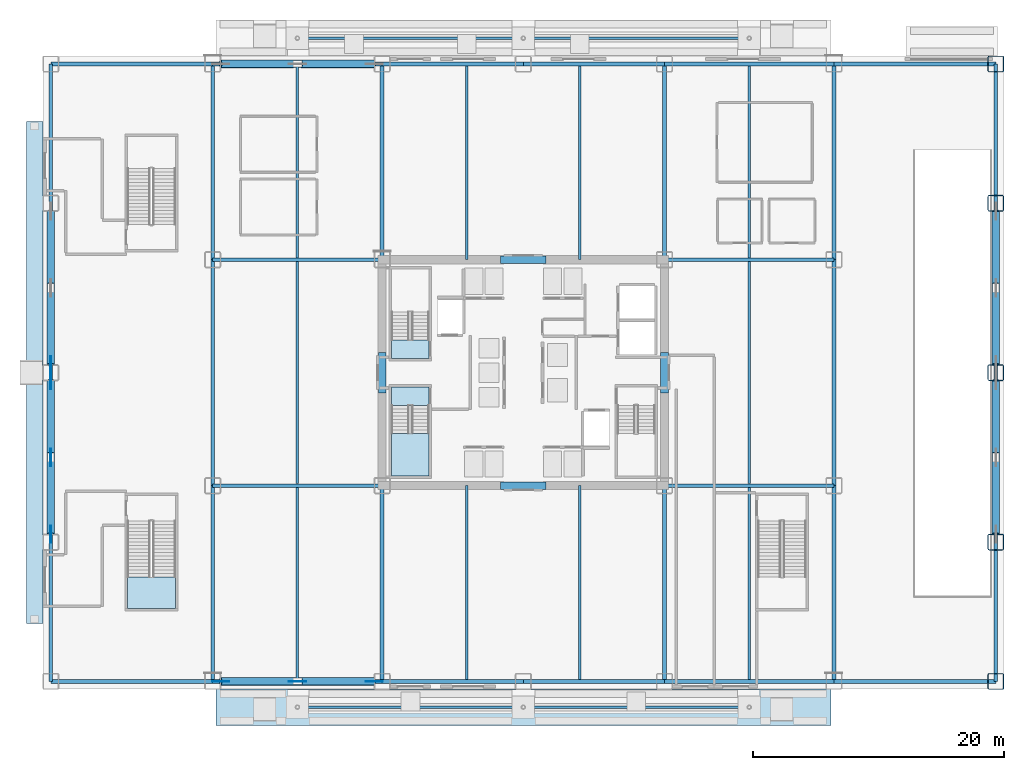
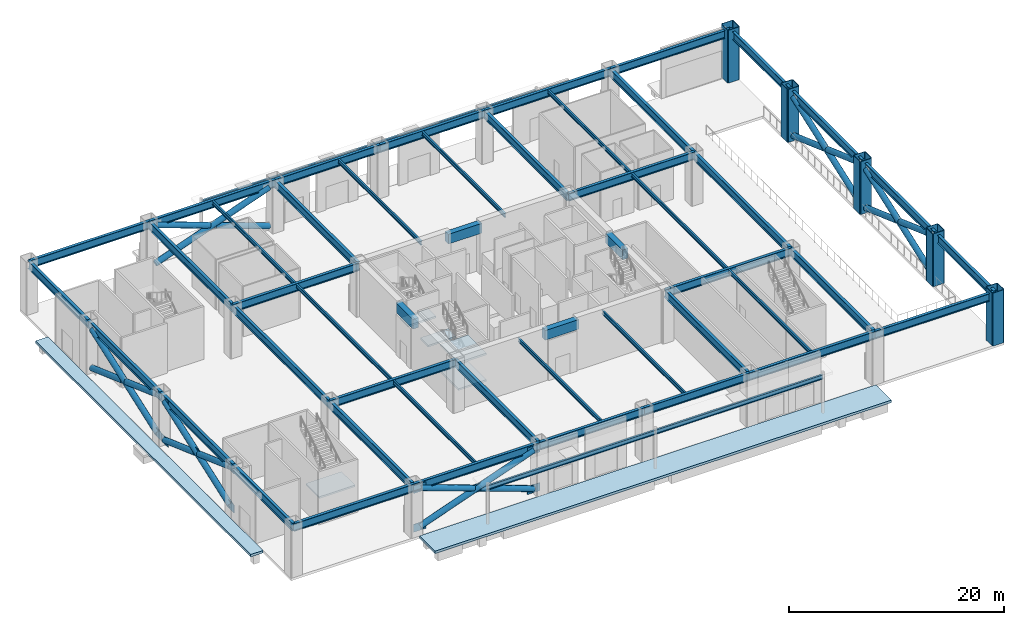
# One storey, part 6 of 17: 52 beams, 18 members, 12 plates, 7 slabs, 5 columns, 3 elements without a shape of their own.
"""IFC4 building model written with IfcOpenShell, lengths in metres."""

import ifcopenshell
import ifcopenshell.guid

model = None  # the IFC model being written
_history = None  # IfcOwnerHistory: only IFC2X3 demands one
_inside = {}  # id of a spatial element -> (the spatial element, [elements in it])
_under = {}  # id of a project, library or spatial element -> (it, [spatial elements below it])
_declared = {}  # id of a project -> (the project, [libraries it declares])
_typed = {}  # id of a type object -> (the type object, [elements of that type])
_made_of = {}  # id of a material, layer set ... -> (it, [elements and type objects made of it])


def new_model(schema):
    """Start an empty IFC model of exactly this schema.

    Asked for "IFC4X3", IfcOpenShell would pick the latest addendum, in which some entities
    have other attributes; the version numbers below select the first issue.
    IFC2X3 requires an IfcOwnerHistory on every rooted entity: one is made here for all.
    """
    global model, _history
    if schema == "IFC4X3":
        model = ifcopenshell.file(schema_version=(4, 3, 0, 0))
    else:
        model = ifcopenshell.file(schema=schema)
    _inside.clear()
    _under.clear()
    _declared.clear()
    _typed.clear()
    _made_of.clear()
    _history = None
    if model.schema == "IFC2X3":
        org = make("IfcOrganization", Name="unknown")
        user = make(
            "IfcPersonAndOrganization",
            ThePerson=make("IfcPerson", FamilyName="unknown"),
            TheOrganization=org,
        )
        app = make(
            "IfcApplication",
            ApplicationDeveloper=org,
            Version="unknown",
            ApplicationFullName="unknown",
            ApplicationIdentifier="unknown",
        )
        _history = make(
            "IfcOwnerHistory",
            OwningUser=user,
            OwningApplication=app,
            ChangeAction="ADDED",
            CreationDate=0,
        )
    return model


def make(cls, **values):
    """One entity of the class cls with the attributes given. An attribute that is None is left unset."""
    return model.create_entity(
        cls, **{name: value for name, value in values.items() if value is not None}
    )


def rooted(cls, **values):
    """An entity with a GlobalId (a new one), such as an element, a storey or a relation."""
    return make(cls, GlobalId=ifcopenshell.guid.new(), OwnerHistory=_history, **values)


def si_unit(unit_type, name, prefix=None):
    """IfcSIUnit, for example si_unit("LENGTHUNIT", "METRE", prefix="MILLI")."""
    return make("IfcSIUnit", UnitType=unit_type, Prefix=prefix, Name=name)


def assignment(units):
    """IfcUnitAssignment: the units of a project."""
    return None if units is None else make("IfcUnitAssignment", Units=units)


def point(xyz):
    """IfcCartesianPoint."""
    return None if xyz is None else make("IfcCartesianPoint", Coordinates=xyz)


def direction(xyz):
    """IfcDirection."""
    return None if xyz is None else make("IfcDirection", DirectionRatios=xyz)


def frame(location, z_axis=None, x_axis=None):
    """IfcAxis2Placement3D, a coordinate frame: its origin and axes. An axis left out is left unset."""
    return make(
        "IfcAxis2Placement3D",
        Location=point(location),
        Axis=direction(z_axis),
        RefDirection=direction(x_axis),
    )


def frame_2d(location, x_axis=None):
    """IfcAxis2Placement2D, a coordinate frame in the plane: its origin and x axis."""
    return make(
        "IfcAxis2Placement2D", Location=point(location), RefDirection=direction(x_axis)
    )


def origin():
    """The frame at (0, 0, 0) with its axes left unset."""
    return frame((0.0, 0.0, 0.0))


def origin_2d():
    """The frame at (0, 0) in the plane with its x axis left unset."""
    return frame_2d((0.0, 0.0))


def place(relative_to, where):
    """IfcLocalPlacement: puts the frame where relative to a parent placement (None: the world)."""
    return make(
        "IfcLocalPlacement", PlacementRelTo=relative_to, RelativePlacement=where
    )


def context(
    kind, dimensions, precision=None, world=None, true_north=None, identifier=None
):
    """IfcGeometricRepresentationContext, for example the 3D "Model" context."""
    return make(
        "IfcGeometricRepresentationContext",
        ContextIdentifier=identifier,
        ContextType=kind,
        CoordinateSpaceDimension=dimensions,
        Precision=precision,
        WorldCoordinateSystem=world,
        TrueNorth=true_north,
    )


def subcontext(parent, identifier, kind, view, scale=None):
    """IfcGeometricRepresentationSubContext, for example "Body" below "Model"."""
    return make(
        "IfcGeometricRepresentationSubContext",
        ContextIdentifier=identifier,
        ContextType=kind,
        ParentContext=parent,
        TargetScale=scale,
        TargetView=view,
    )


def project(units=None, contexts=None):
    """IfcProject with its units and contexts."""
    return rooted(
        "IfcProject",
        Name="project",
        RepresentationContexts=contexts,
        UnitsInContext=assignment(units),
    )


def spatial(cls, under=None, at=None, **own):
    """A site, building, storey or space (cls), placed at a placement, below another one or the project."""
    s = rooted(cls, ObjectPlacement=at, **own)
    if under is not None:
        _under.setdefault(under.id(), (under, []))[1].append(s)
    return s


def polyline(points):
    """IfcPolyline through the points."""
    return make("IfcPolyline", Points=[point(p) for p in points])


def profile(cls, at=None, kind="AREA", **sizes):
    """A parametric profile (cls). Its sizes go by their IFC names, for example OverallWidth=200.0."""
    return make(cls, ProfileType=kind, Position=at, **sizes)


def rectangle(**sizes):
    """IfcRectangleProfileDef."""
    return profile("IfcRectangleProfileDef", **sizes)


def hollow_rectangle(**sizes):
    """IfcRectangleHollowProfileDef."""
    return profile("IfcRectangleHollowProfileDef", **sizes)


def hollow_circle(**sizes):
    """IfcCircleHollowProfileDef."""
    return profile("IfcCircleHollowProfileDef", **sizes)


def i_section(**sizes):
    """IfcIShapeProfileDef."""
    return profile("IfcIShapeProfileDef", **sizes)


def outline(outer, holes=None, kind="AREA"):
    """IfcArbitraryClosedProfileDef: a profile drawn as a closed curve; with holes, ...WithVoids."""
    if holes is None:
        return make("IfcArbitraryClosedProfileDef", ProfileType=kind, OuterCurve=outer)
    return make(
        "IfcArbitraryProfileDefWithVoids",
        ProfileType=kind,
        OuterCurve=outer,
        InnerCurves=holes,
    )


def extrude(swept, where, along, depth):
    """IfcExtrudedAreaSolid: the profile swept, set in the frame where, extruded along a direction by depth."""
    return make(
        "IfcExtrudedAreaSolid",
        SweptArea=swept,
        Position=where,
        ExtrudedDirection=direction(along),
        Depth=depth,
    )


def shape(context_of_items, identifier, shape_type, items):
    """IfcShapeRepresentation: the items that make up one representation, for example the "Body"."""
    return make(
        "IfcShapeRepresentation",
        ContextOfItems=context_of_items,
        RepresentationIdentifier=identifier,
        RepresentationType=shape_type,
        Items=items,
    )


def source(mapping_origin, context_of_items, identifier, shape_type, items):
    """IfcRepresentationMap: a shape defined once, which mapped items show again and again."""
    return make(
        "IfcRepresentationMap",
        MappingOrigin=mapping_origin,
        MappedRepresentation=shape(context_of_items, identifier, shape_type, items),
    )


def transform(
    local_origin,
    x_axis=None,
    y_axis=None,
    z_axis=None,
    scale=None,
    scale2=None,
    scale3=None,
    uniform=True,
):
    """IfcCartesianTransformationOperator3D, or its non-uniform kind. x_axis, y_axis, z_axis: its Axis1, 2, 3."""
    if uniform:
        return make(
            "IfcCartesianTransformationOperator3D",
            Axis1=direction(x_axis),
            Axis2=direction(y_axis),
            LocalOrigin=point(local_origin),
            Scale=scale,
            Axis3=direction(z_axis),
        )
    return make(
        "IfcCartesianTransformationOperator3DnonUniform",
        Axis1=direction(x_axis),
        Axis2=direction(y_axis),
        LocalOrigin=point(local_origin),
        Scale=scale,
        Axis3=direction(z_axis),
        Scale2=scale2,
        Scale3=scale3,
    )


def mapped(mapping_source, mapping_target):
    """IfcMappedItem: shows the shape of a source again, moved by a transform."""
    return make(
        "IfcMappedItem", MappingSource=mapping_source, MappingTarget=mapping_target
    )


def material(Name=None, Category=None):
    """IfcMaterial."""
    return make("IfcMaterial", Name=Name, Category=Category)


def layer(
    of_material, thickness, ventilated=None, Name=None, Category=None, Priority=None
):
    """IfcMaterialLayer: one layer of a wall or slab, of a material (None: an air gap)."""
    return make(
        "IfcMaterialLayer",
        Material=of_material,
        LayerThickness=thickness,
        IsVentilated=ventilated,
        Name=Name,
        Category=Category,
        Priority=Priority,
    )


def layer_set(layers, Name=None):
    """IfcMaterialLayerSet."""
    return make("IfcMaterialLayerSet", MaterialLayers=layers, LayerSetName=Name)


def material_profile(
    of_material, cross_section, Name=None, Category=None, Priority=None
):
    """IfcMaterialProfile: a cross section and its material."""
    return make(
        "IfcMaterialProfile",
        Name=Name,
        Material=of_material,
        Profile=cross_section,
        Priority=Priority,
        Category=Category,
    )


def profile_set(profiles, Name=None, composite=None):
    """IfcMaterialProfileSet."""
    return make(
        "IfcMaterialProfileSet",
        Name=Name,
        MaterialProfiles=profiles,
        CompositeProfile=composite,
    )


def made_of(thing, what):
    """Note that an element or type object is made of a material, layer set ...; save() writes the relation."""
    if what is not None:
        _made_of.setdefault(what.id(), (what, []))[1].append(thing)
    return thing


def type_object(cls, material=None, **own):
    """A type object (cls), such as IfcWallType, which elements share."""
    return made_of(rooted(cls, **own), material)


def element(
    cls,
    number,
    at=None,
    inside=None,
    cuts=None,
    type_object=None,
    material=None,
    context=None,
    identifier="Body",
    shape_type=None,
    held_by="IfcProductDefinitionShape",
    body=None,
    shapes=None,
    **own,
):
    """One element of the class cls, such as IfcWall. Its Tag is "e" and its number.

    at: its placement. inside: the storey or other place that contains it. cuts: it is an
    opening in that element (IfcRelVoidsElement). A single representation is given by context,
    identifier, shape_type and body (its items); several are given by shapes. held_by: the class
    of the entity that holds the representations. save() writes the other relations.
    """
    e = rooted(cls, Tag="e%d" % number, ObjectPlacement=at, **own)
    if body is not None:
        shapes = [shape(context, identifier, shape_type, body)]
    if shapes is not None:
        e.Representation = make(held_by, Representations=shapes)
    if inside is not None:
        _inside.setdefault(inside.id(), (inside, []))[1].append(e)
    if cuts is not None:
        rooted(
            "IfcRelVoidsElement", RelatingBuildingElement=cuts, RelatedOpeningElement=e
        )
    if type_object is not None:
        _typed.setdefault(type_object.id(), (type_object, []))[1].append(e)
    return made_of(e, material)


def aggregate(whole, parts):
    """IfcRelAggregates: a whole, such as a stair, and the parts it consists of."""
    return rooted("IfcRelAggregates", RelatingObject=whole, RelatedObjects=parts)


def save(model, path):
    """Write the relations noted so far, then the file.

    IfcRelAggregates (storeys below a building ...), IfcRelContainedInSpatialStructure (elements
    in a storey), IfcRelDefinesByType, IfcRelAssociatesMaterial and IfcRelDeclares: one each for
    every whole, place, type object, material and project.
    """
    for whole, parts in _under.values():
        aggregate(whole, parts)
    for where, things in _inside.values():
        rooted(
            "IfcRelContainedInSpatialStructure",
            RelatedElements=things,
            RelatingStructure=where,
        )
    for kind, things in _typed.values():
        rooted("IfcRelDefinesByType", RelatedObjects=things, RelatingType=kind)
    for what, things in _made_of.values():
        rooted("IfcRelAssociatesMaterial", RelatedObjects=things, RelatingMaterial=what)
    for by, libraries in _declared.values():
        rooted("IfcRelDeclares", RelatingContext=by, RelatedDefinitions=libraries)
    model.write(path)


model = new_model("IFC4")

# Units and contexts
model_context = context("Model", 3, precision=1e-05, world=origin(), true_north=direction((0.0, 1.0)))
body_context = subcontext(model_context, "Body", "Model", "MODEL_VIEW")
ifc_project = project(units=[si_unit("LENGTHUNIT", "METRE"), si_unit("AREAUNIT", "SQUARE_METRE"), si_unit("VOLUMEUNIT", "CUBIC_METRE"), si_unit("PLANEANGLEUNIT", "RADIAN"), si_unit("MASSUNIT", "GRAM", prefix="KILO")], contexts=[model_context])

# Site, building, storey
site_placement = place(None, origin())
site = spatial("IfcSite", under=ifc_project, at=site_placement, CompositionType="ELEMENT")
building_placement = place(site_placement, origin())
building = spatial("IfcBuilding", under=site, at=building_placement, Name="Nefas-Gora Pilgrimage Tower", CompositionType="ELEMENT")
storey_placement = place(building_placement, origin())
storey = spatial("IfcBuildingStorey", under=building, at=storey_placement, Name="L00", CompositionType="ELEMENT", Elevation=0.0)

# Columns
ifc_material_1 = material(Name="Steel S460", Category="steel")
ifc_material_profile_1 = material_profile(ifc_material_1, hollow_rectangle(XDim=1.300048828125, YDim=1.300048828125, WallThickness=0.06494140625, InnerFilletRadius=0.06494140625, OuterFilletRadius=0.1298828125, at=origin_2d()), Name="BOX 1300x1300x65")
ifc_profile_set_1 = profile_set([ifc_material_profile_1], Name="Steel S460")
column_type = type_object("IfcColumnType", Name="COL-MEGA-1300E", PredefinedType="COLUMN", material=ifc_profile_set_1)
shared_shape_1 = source(origin(), body_context, "Body", "SweptSolid", [
    extrude(hollow_rectangle(XDim=1.300048828125, YDim=1.300048828125, WallThickness=0.06494140625, InnerFilletRadius=0.06494140625, OuterFilletRadius=0.1298828125, at=origin_2d()), origin(), (0.0, 0.0, 1.0), 6.0),
])
for number, where, z_axis, x_axis, name in (
    (1, (37.64990234375, -24.60009765625, 0.0), (0.0, 0.0, 1.0), (1.0, 0.0, 0.0), "L00 Mega-Column MC-01E.24"),
    (2, (37.64990234375, -13.5, 0.0), (0.0, 0.0, 1.0), (1.0, 0.0, 0.0), "L00 Mega-Column MC-01E.25"),
    (3, (37.64990234375, 0.0, 0.0), (0.0, 0.0, 1.0), (1.0, 0.0, 0.0), "L00 Mega-Column MC-01E.26"),
    (4, (37.64990234375, 13.5, 0.0), (0.0, 0.0, 1.0), (1.0, 0.0, 0.0), "L00 Mega-Column MC-01E.27"),
    (5, (37.64990234375, 24.60009765625, 0.0), (0.0, 0.0, 1.0), (1.0, 0.0, 0.0), "L00 Mega-Column MC-01E.28"),
):
    element("IfcColumn", number, at=place(storey_placement, frame(where, z_axis=z_axis, x_axis=x_axis)), inside=storey, type_object=column_type, Name=name, PredefinedType="COLUMN", context=body_context, shape_type="MappedRepresentation", body=[
        mapped(shared_shape_1, transform((0.0, 0.0, 0.0), x_axis=(1.0, 0.0, 0.0), y_axis=(0.0, 1.0, 0.0), z_axis=(0.0, 0.0, 1.0), scale=1.0)),
    ])

# Beams
ifc_material_2 = material(Name="Concrete C60/75", Category="concrete")
ifc_material_profile_2 = material_profile(ifc_material_2, rectangle(XDim=0.60009765625, YDim=1.10009765625, at=origin_2d()), Name="RC 600x1100")
ifc_profile_set_2 = profile_set([ifc_material_profile_2], Name="Concrete C60/75")
beam_type_1 = type_object("IfcBeamType", Name="BM-LIN-RC1100", PredefinedType="LINTEL", material=ifc_profile_set_2)
shared_shape_2 = source(origin(), body_context, "Body", "SweptSolid", [
    extrude(rectangle(XDim=0.60009765625, YDim=1.10009765625, at=origin_2d()), origin(), (0.0, 0.0, 1.0), 3.60009765625),
])
for number, where, z_axis, x_axis, name in (
    (6, (-1.800048828125, 9.0, 5.14990234375), (1.0, 0.0, 0.0), (0.0, 1.0, 0.0), "L00 Core Coupling Lintel Beam N"),
    (7, (-1.800048828125, -9.0, 5.14990234375), (1.0, 0.0, 0.0), (0.0, 1.0, 0.0), "L00 Core Coupling Lintel Beam S"),
):
    element("IfcBeam", number, at=place(storey_placement, frame(where, z_axis=z_axis, x_axis=x_axis)), inside=storey, type_object=beam_type_1, Name=name, PredefinedType="LINTEL", context=body_context, shape_type="MappedRepresentation", body=[
        mapped(shared_shape_2, transform((0.0, 0.0, 0.0), x_axis=(1.0, 0.0, 0.0), y_axis=(0.0, 1.0, 0.0), z_axis=(0.0, 0.0, 1.0), scale=1.0)),
    ])
shared_shape_3 = source(origin(), body_context, "Body", "SweptSolid", [
    extrude(rectangle(XDim=0.60009765625, YDim=1.10009765625, at=origin_2d()), origin(), (0.0, 0.0, 1.0), 3.2001953125),
])
for number, where, z_axis, x_axis, name in (
    (8, (-11.25, -1.60009765625, 5.14990234375), (0.0, 1.0, 0.0), (-1.0, 0.0, 0.0), "L00 Core Coupling Lintel Beam W"),
    (9, (11.25, -1.60009765625, 5.14990234375), (0.0, 1.0, 0.0), (-1.0, 0.0, 0.0), "L00 Core Coupling Lintel Beam E"),
):
    element("IfcBeam", number, at=place(storey_placement, frame(where, z_axis=z_axis, x_axis=x_axis)), inside=storey, type_object=beam_type_1, Name=name, PredefinedType="LINTEL", context=body_context, shape_type="MappedRepresentation", body=[
        mapped(shared_shape_3, transform((0.0, 0.0, 0.0), x_axis=(1.0, 0.0, 0.0), y_axis=(0.0, 1.0, 0.0), z_axis=(0.0, 0.0, 1.0), scale=1.0)),
    ])
ifc_material_profile_3 = material_profile(ifc_material_1, i_section(OverallWidth=0.300048828125, OverallDepth=0.89990234375, WebThickness=0.0185546875, FlangeThickness=0.034912109375, FilletRadius=0.030029296875, at=origin_2d()), Name="HEB 900")
ifc_profile_set_3 = profile_set([ifc_material_profile_3], Name="Steel S460")
beam_type_2 = type_object("IfcBeamType", Name="BM-POD-HEB900", PredefinedType="BEAM", material=ifc_profile_set_3)
shared_shape_4 = source(origin(), body_context, "Body", "SweptSolid", [
    extrude(i_section(OverallWidth=0.300048828125, OverallDepth=0.89990234375, WebThickness=0.0185546875, FlangeThickness=0.034912109375, FilletRadius=0.030029296875, at=origin_2d()), origin(), (0.0, 0.0, 1.0), 13.5),
])
for number, where, z_axis, x_axis, name in (
    (10, (-24.75, -9.0, 5.25), (1.0, 0.0, 0.0), (0.0, 1.0, 0.0), "L00 PG-02 beam"),
    (11, (11.25, -9.0, 5.25), (1.0, 0.0, 0.0), (0.0, 1.0, 0.0), "L00 PG-02 beam"),
    (12, (-24.75, 9.0, 5.25), (1.0, 0.0, 0.0), (0.0, 1.0, 0.0), "L00 PG-02 beam"),
    (13, (11.25, 9.0, 5.25), (1.0, 0.0, 0.0), (0.0, 1.0, 0.0), "L00 PG-02 beam"),
):
    element("IfcBeam", number, at=place(storey_placement, frame(where, z_axis=z_axis, x_axis=x_axis)), inside=storey, type_object=beam_type_2, Name=name, PredefinedType="BEAM", context=body_context, shape_type="MappedRepresentation", body=[
        mapped(shared_shape_4, transform((0.0, 0.0, 0.0), x_axis=(1.0, 0.0, 0.0), y_axis=(0.0, 1.0, 0.0), z_axis=(0.0, 0.0, 1.0), scale=1.0)),
    ])
shared_shape_5 = source(origin(), body_context, "Body", "SweptSolid", [
    extrude(i_section(OverallWidth=0.300048828125, OverallDepth=0.89990234375, WebThickness=0.0185546875, FlangeThickness=0.034912109375, FilletRadius=0.030029296875, at=origin_2d()), origin(), (0.0, 0.0, 1.0), 18.0),
])
for number, where, z_axis, x_axis, name in (
    (14, (-24.75, -9.0, 5.25), (0.0, 1.0, 0.0), (-1.0, 0.0, 0.0), "L00 PG-02 beam"),
    (15, (24.75, -9.0, 5.25), (0.0, 1.0, 0.0), (-1.0, 0.0, 0.0), "L00 PG-02 beam"),
):
    element("IfcBeam", number, at=place(storey_placement, frame(where, z_axis=z_axis, x_axis=x_axis)), inside=storey, type_object=beam_type_2, Name=name, PredefinedType="BEAM", context=body_context, shape_type="MappedRepresentation", body=[
        mapped(shared_shape_5, transform((0.0, 0.0, 0.0), x_axis=(1.0, 0.0, 0.0), y_axis=(0.0, 1.0, 0.0), z_axis=(0.0, 0.0, 1.0), scale=1.0)),
    ])
ifc_material_3 = material(Name="Steel S355", Category="steel")
ifc_material_profile_4 = material_profile(ifc_material_3, i_section(OverallWidth=0.18994140625, OverallDepth=0.449951171875, WebThickness=0.009521484375, FlangeThickness=0.0146484375, FilletRadius=0.02099609375, at=origin_2d()), Name="IPE 450")
ifc_profile_set_4 = profile_set([ifc_material_profile_4], Name="Steel S355")
beam_type_3 = type_object("IfcBeamType", Name="BM-JST-IPE450", PredefinedType="JOIST", material=ifc_profile_set_4)
shared_shape_6 = source(origin(), body_context, "Body", "SweptSolid", [
    extrude(i_section(OverallWidth=0.18994140625, OverallDepth=0.449951171875, WebThickness=0.009521484375, FlangeThickness=0.0146484375, FilletRadius=0.02099609375, at=origin_2d()), origin(), (0.0, 0.0, 1.0), 17.68798828125),
])
for number, where, z_axis, x_axis, name in (
    (16, (-18.0, -8.843994140625, 5.47509765625), (0.0, 1.0, 0.0), (-1.0, 0.0, 0.0), "L00 J-01 beam"),
    (17, (18.0, -8.843994140625, 5.47509765625), (0.0, 1.0, 0.0), (-1.0, 0.0, 0.0), "L00 J-01 beam"),
):
    element("IfcBeam", number, at=place(storey_placement, frame(where, z_axis=z_axis, x_axis=x_axis)), inside=storey, type_object=beam_type_3, Name=name, PredefinedType="JOIST", context=body_context, shape_type="MappedRepresentation", body=[
        mapped(shared_shape_6, transform((0.0, 0.0, 0.0), x_axis=(1.0, 0.0, 0.0), y_axis=(0.0, 1.0, 0.0), z_axis=(0.0, 0.0, 1.0), scale=1.0)),
    ])
ifc_material_profile_5 = material_profile(ifc_material_1, i_section(OverallWidth=0.300048828125, OverallDepth=0.89990234375, WebThickness=0.0185546875, FlangeThickness=0.034912109375, FilletRadius=0.030029296875, at=origin_2d()), Name="HEB 900")
ifc_profile_set_5 = profile_set([ifc_material_profile_5], Name="Steel S460")
beam_type_4 = type_object("IfcBeamType", Name="BM-POD-HEB900E", PredefinedType="BEAM", material=ifc_profile_set_5)
shared_shape_7 = source(origin(), body_context, "Body", "SweptSolid", [
    extrude(i_section(OverallWidth=0.300048828125, OverallDepth=0.89990234375, WebThickness=0.0185546875, FlangeThickness=0.034912109375, FilletRadius=0.030029296875, at=origin_2d()), origin(), (0.0, 0.0, 1.0), 12.89990234375),
])
for number, where, z_axis, x_axis, name in (
    (18, (-37.64990234375, -24.60009765625, 5.25), (1.0, 0.0, 0.0), (0.0, 1.0, 0.0), "L00 PG-02E beam"),
    (19, (24.75, -24.60009765625, 5.25), (1.0, 0.0, 0.0), (0.0, 1.0, 0.0), "L00 PG-02E beam"),
    (20, (-37.64990234375, 24.60009765625, 5.25), (1.0, 0.0, 0.0), (0.0, 1.0, 0.0), "L00 PG-02E beam"),
    (21, (24.75, 24.60009765625, 5.25), (1.0, 0.0, 0.0), (0.0, 1.0, 0.0), "L00 PG-02E beam"),
):
    element("IfcBeam", number, at=place(storey_placement, frame(where, z_axis=z_axis, x_axis=x_axis)), inside=storey, type_object=beam_type_4, Name=name, PredefinedType="BEAM", context=body_context, shape_type="MappedRepresentation", body=[
        mapped(shared_shape_7, transform((0.0, 0.0, 0.0), x_axis=(1.0, 0.0, 0.0), y_axis=(0.0, 1.0, 0.0), z_axis=(0.0, 0.0, 1.0), scale=1.0)),
    ])
shared_shape_8 = source(origin(), body_context, "Body", "SweptSolid", [
    extrude(i_section(OverallWidth=0.300048828125, OverallDepth=0.89990234375, WebThickness=0.0185546875, FlangeThickness=0.034912109375, FilletRadius=0.030029296875, at=origin_2d()), origin(), (0.0, 0.0, 1.0), 13.5),
])
for number, where, z_axis, x_axis, name in (
    (22, (-24.75, -24.60009765625, 5.25), (1.0, 0.0, 0.0), (0.0, 1.0, 0.0), "L00 PG-02E beam"),
    (23, (11.25, -24.60009765625, 5.25), (1.0, 0.0, 0.0), (0.0, 1.0, 0.0), "L00 PG-02E beam"),
    (24, (-24.75, 24.60009765625, 5.25), (1.0, 0.0, 0.0), (0.0, 1.0, 0.0), "L00 PG-02E beam"),
    (25, (11.25, 24.60009765625, 5.25), (1.0, 0.0, 0.0), (0.0, 1.0, 0.0), "L00 PG-02E beam"),
    (26, (-37.64990234375, -13.5, 5.25), (0.0, 1.0, 0.0), (-1.0, 0.0, 0.0), "L00 PG-02E beam"),
    (27, (-37.64990234375, 0.0, 5.25), (0.0, 1.0, 0.0), (-1.0, 0.0, 0.0), "L00 PG-02E beam"),
    (28, (37.64990234375, -13.5, 5.25), (0.0, 1.0, 0.0), (-1.0, 0.0, 0.0), "L00 PG-02E beam"),
    (29, (37.64990234375, 0.0, 5.25), (0.0, 1.0, 0.0), (-1.0, 0.0, 0.0), "L00 PG-02E beam"),
):
    element("IfcBeam", number, at=place(storey_placement, frame(where, z_axis=z_axis, x_axis=x_axis)), inside=storey, type_object=beam_type_4, Name=name, PredefinedType="BEAM", context=body_context, shape_type="MappedRepresentation", body=[
        mapped(shared_shape_8, transform((0.0, 0.0, 0.0), x_axis=(1.0, 0.0, 0.0), y_axis=(0.0, 1.0, 0.0), z_axis=(0.0, 0.0, 1.0), scale=1.0)),
    ])
shared_shape_9 = source(origin(), body_context, "Body", "SweptSolid", [
    extrude(i_section(OverallWidth=0.300048828125, OverallDepth=0.89990234375, WebThickness=0.0185546875, FlangeThickness=0.034912109375, FilletRadius=0.030029296875, at=origin_2d()), origin(), (0.0, 0.0, 1.0), 11.25),
])
for number, where, z_axis, x_axis, name in (
    (30, (-11.25, -24.60009765625, 5.25), (1.0, 0.0, 0.0), (0.0, 1.0, 0.0), "L00 PG-02E beam"),
    (31, (0.0, -24.60009765625, 5.25), (1.0, 0.0, 0.0), (0.0, 1.0, 0.0), "L00 PG-02E beam"),
    (32, (-11.25, 24.60009765625, 5.25), (1.0, 0.0, 0.0), (0.0, 1.0, 0.0), "L00 PG-02E beam"),
    (33, (0.0, 24.60009765625, 5.25), (1.0, 0.0, 0.0), (0.0, 1.0, 0.0), "L00 PG-02E beam"),
):
    element("IfcBeam", number, at=place(storey_placement, frame(where, z_axis=z_axis, x_axis=x_axis)), inside=storey, type_object=beam_type_4, Name=name, PredefinedType="BEAM", context=body_context, shape_type="MappedRepresentation", body=[
        mapped(shared_shape_9, transform((0.0, 0.0, 0.0), x_axis=(1.0, 0.0, 0.0), y_axis=(0.0, 1.0, 0.0), z_axis=(0.0, 0.0, 1.0), scale=1.0)),
    ])
shared_shape_10 = source(origin(), body_context, "Body", "SweptSolid", [
    extrude(i_section(OverallWidth=0.300048828125, OverallDepth=0.89990234375, WebThickness=0.0185546875, FlangeThickness=0.034912109375, FilletRadius=0.030029296875, at=origin_2d()), origin(), (0.0, 0.0, 1.0), 11.10009765625),
])
for number, where, z_axis, x_axis, name in (
    (34, (-37.64990234375, -24.60009765625, 5.25), (0.0, 1.0, 0.0), (-1.0, 0.0, 0.0), "L00 PG-02E beam"),
    (35, (-37.64990234375, 13.5, 5.25), (0.0, 1.0, 0.0), (-1.0, 0.0, 0.0), "L00 PG-02E beam"),
    (36, (37.64990234375, -24.60009765625, 5.25), (0.0, 1.0, 0.0), (-1.0, 0.0, 0.0), "L00 PG-02E beam"),
    (37, (37.64990234375, 13.5, 5.25), (0.0, 1.0, 0.0), (-1.0, 0.0, 0.0), "L00 PG-02E beam"),
):
    element("IfcBeam", number, at=place(storey_placement, frame(where, z_axis=z_axis, x_axis=x_axis)), inside=storey, type_object=beam_type_4, Name=name, PredefinedType="BEAM", context=body_context, shape_type="MappedRepresentation", body=[
        mapped(shared_shape_10, transform((0.0, 0.0, 0.0), x_axis=(1.0, 0.0, 0.0), y_axis=(0.0, 1.0, 0.0), z_axis=(0.0, 0.0, 1.0), scale=1.0)),
    ])
shared_shape_11 = source(origin(), body_context, "Body", "SweptSolid", [
    extrude(i_section(OverallWidth=0.300048828125, OverallDepth=0.89990234375, WebThickness=0.0185546875, FlangeThickness=0.034912109375, FilletRadius=0.030029296875, at=origin_2d()), origin(), (0.0, 0.0, 1.0), 15.60009765625),
])
for number, where, z_axis, x_axis, name in (
    (38, (-24.75, -24.60009765625, 5.25), (0.0, 1.0, 0.0), (-1.0, 0.0, 0.0), "L00 PG-02 beam"),
    (39, (-24.75, 9.0, 5.25), (0.0, 1.0, 0.0), (-1.0, 0.0, 0.0), "L00 PG-02 beam"),
    (40, (-11.25, -24.60009765625, 5.25), (0.0, 1.0, 0.0), (-1.0, 0.0, 0.0), "L00 PG-02 beam"),
    (41, (-11.25, 9.0, 5.25), (0.0, 1.0, 0.0), (-1.0, 0.0, 0.0), "L00 PG-02 beam"),
    (42, (11.25, -24.60009765625, 5.25), (0.0, 1.0, 0.0), (-1.0, 0.0, 0.0), "L00 PG-02 beam"),
    (43, (11.25, 9.0, 5.25), (0.0, 1.0, 0.0), (-1.0, 0.0, 0.0), "L00 PG-02 beam"),
    (44, (24.75, -24.60009765625, 5.25), (0.0, 1.0, 0.0), (-1.0, 0.0, 0.0), "L00 PG-02 beam"),
    (45, (24.75, 9.0, 5.25), (0.0, 1.0, 0.0), (-1.0, 0.0, 0.0), "L00 PG-02 beam"),
):
    element("IfcBeam", number, at=place(storey_placement, frame(where, z_axis=z_axis, x_axis=x_axis)), inside=storey, type_object=beam_type_2, Name=name, PredefinedType="BEAM", context=body_context, shape_type="MappedRepresentation", body=[
        mapped(shared_shape_11, transform((0.0, 0.0, 0.0), x_axis=(1.0, 0.0, 0.0), y_axis=(0.0, 1.0, 0.0), z_axis=(0.0, 0.0, 1.0), scale=1.0)),
    ])
shared_shape_12 = source(origin(), body_context, "Body", "SweptSolid", [
    extrude(i_section(OverallWidth=0.18994140625, OverallDepth=0.449951171875, WebThickness=0.009521484375, FlangeThickness=0.0146484375, FilletRadius=0.02099609375, at=origin_2d()), origin(), (0.0, 0.0, 1.0), 15.2880859375),
])
for number, where, z_axis, x_axis, name in (
    (46, (-18.0, -24.444091796875, 5.47509765625), (0.0, 1.0, 0.0), (-1.0, 0.0, 0.0), "L00 J-01 beam"),
    (47, (-18.0, 9.156005859375, 5.47509765625), (0.0, 1.0, 0.0), (-1.0, 0.0, 0.0), "L00 J-01 beam"),
    (48, (18.0, -24.444091796875, 5.47509765625), (0.0, 1.0, 0.0), (-1.0, 0.0, 0.0), "L00 J-01 beam"),
    (49, (18.0, 9.156005859375, 5.47509765625), (0.0, 1.0, 0.0), (-1.0, 0.0, 0.0), "L00 J-01 beam"),
):
    element("IfcBeam", number, at=place(storey_placement, frame(where, z_axis=z_axis, x_axis=x_axis)), inside=storey, type_object=beam_type_3, Name=name, PredefinedType="JOIST", context=body_context, shape_type="MappedRepresentation", body=[
        mapped(shared_shape_12, transform((0.0, 0.0, 0.0), x_axis=(1.0, 0.0, 0.0), y_axis=(0.0, 1.0, 0.0), z_axis=(0.0, 0.0, 1.0), scale=1.0)),
    ])
shared_shape_13 = source(origin(), body_context, "Body", "SweptSolid", [
    extrude(i_section(OverallWidth=0.18994140625, OverallDepth=0.449951171875, WebThickness=0.009521484375, FlangeThickness=0.0146484375, FilletRadius=0.02099609375, at=origin_2d()), origin(), (0.0, 0.0, 1.0), 15.444091796875),
])
for number, where, z_axis, x_axis, name in (
    (50, (-4.5, -24.444091796875, 5.47509765625), (0.0, 1.0, 0.0), (-1.0, 0.0, 0.0), "L00 J-01 beam"),
    (51, (-4.5, 9.0, 5.47509765625), (0.0, 1.0, 0.0), (-1.0, 0.0, 0.0), "L00 J-01 beam"),
    (52, (4.5, -24.444091796875, 5.47509765625), (0.0, 1.0, 0.0), (-1.0, 0.0, 0.0), "L00 J-01 beam"),
    (53, (4.5, 9.0, 5.47509765625), (0.0, 1.0, 0.0), (-1.0, 0.0, 0.0), "L00 J-01 beam"),
):
    element("IfcBeam", number, at=place(storey_placement, frame(where, z_axis=z_axis, x_axis=x_axis)), inside=storey, type_object=beam_type_3, Name=name, PredefinedType="JOIST", context=body_context, shape_type="MappedRepresentation", body=[
        mapped(shared_shape_13, transform((0.0, 0.0, 0.0), x_axis=(1.0, 0.0, 0.0), y_axis=(0.0, 1.0, 0.0), z_axis=(0.0, 0.0, 1.0), scale=1.0)),
    ])

# Members
ifc_material_profile_6 = material_profile(ifc_material_1, hollow_circle(Radius=0.304931640625, WallThickness=0.0400390625, at=origin_2d()), Name="CHS 610x40")
ifc_profile_set_6 = profile_set([ifc_material_profile_6], Name="Steel S460")
member_type = type_object("IfcMemberType", Name="MEM-PILOTIS-610", PredefinedType="BRACE", material=ifc_profile_set_6)
shared_shape_14 = source(origin(), body_context, "Body", "SweptSolid", [
    extrude(hollow_circle(Radius=0.304931640625, WallThickness=0.0400390625, at=origin_2d()), origin(), (0.0, 0.0, 1.0), 12.989013671875),
])
for number, where, z_axis, x_axis, name in (
    (54, (-24.112060546875, 24.60009765625, 0.5791015625), (0.941110043347, 0.0, 0.338100408623), (0.0, 1.0, 0.0), "Pilotis Continuous Mega Brace N1-1"),
    (55, (-37.64990234375, 0.637939453125, 0.5791015625), (0.0, 0.941110043347, 0.338100408623), (-1.0, 0.0, 0.0), "Pilotis Continuous Mega Brace W2-1"),
    (56, (-24.112060546875, -24.60009765625, 0.5791015625), (0.941110043347, 0.0, 0.338100408623), (0.0, 1.0, 0.0), "Pilotis Continuous Mega Brace S1-1"),
    (57, (37.64990234375, 0.637939453125, 0.5791015625), (0.0, 0.941110043347, 0.338100408623), (-1.0, 0.0, 0.0), "Pilotis Continuous Mega Brace E2-1"),
    (58, (-37.64990234375, -12.862060546875, 0.5791015625), (0.0, 0.941110043347, 0.338100408623), (-1.0, 0.0, 0.0), "Pilotis Continuous Mega Brace W1-1"),
    (59, (37.64990234375, -12.862060546875, 0.5791015625), (0.0, 0.941110043347, 0.338100408623), (-1.0, 0.0, 0.0), "Pilotis Continuous Mega Brace E1-1"),
):
    element("IfcMember", number, at=place(storey_placement, frame(where, z_axis=z_axis, x_axis=x_axis)), inside=storey, type_object=member_type, Name=name, PredefinedType="BRACE", context=body_context, shape_type="MappedRepresentation", body=[
        mapped(shared_shape_14, transform((0.0, 0.0, 0.0), x_axis=(1.0, 0.0, 0.0), y_axis=(0.0, 1.0, 0.0), z_axis=(0.0, 0.0, 1.0), scale=1.0)),
    ])
shared_shape_15 = source(origin(), body_context, "Body", "SweptSolid", [
    extrude(hollow_circle(Radius=0.304931640625, WallThickness=0.0400390625, at=origin_2d()), origin(), (0.0, 0.0, 1.0), 6.17431640625),
])
for number, where, z_axis, x_axis, name in (
    (60, (-11.887939453125, 24.60009765625, 0.5791015625), (-0.941105977123, 0.0, 0.338111726834), (0.0, -1.0, 0.0), "Pilotis Split Mega Brace N1-2A"),
    (61, (-18.30126953125, 24.60009765625, 2.88330078125), (-0.94111855842, 0.0, 0.338076705789), (0.0, -1.0, 0.0), "Pilotis Split Mega Brace N1-2B"),
    (62, (-37.64990234375, 12.862060546875, 0.5791015625), (0.0, -0.941105977123, 0.338111726834), (1.0, 0.0, 0.0), "Pilotis Split Mega Brace W2-2A"),
    (63, (-37.64990234375, 6.44873046875, 2.88330078125), (0.0, -0.94111855842, 0.338076705789), (1.0, 0.0, 0.0), "Pilotis Split Mega Brace W2-2B"),
    (64, (-11.887939453125, -24.60009765625, 0.5791015625), (-0.941105977123, 0.0, 0.338111726834), (0.0, -1.0, 0.0), "Pilotis Split Mega Brace S1-2A"),
    (65, (-18.30126953125, -24.60009765625, 2.88330078125), (-0.94111855842, 0.0, 0.338076705789), (0.0, -1.0, 0.0), "Pilotis Split Mega Brace S1-2B"),
    (66, (37.64990234375, 12.862060546875, 0.5791015625), (0.0, -0.941105977123, 0.338111726834), (1.0, 0.0, 0.0), "Pilotis Split Mega Brace E2-2A"),
    (67, (37.64990234375, 6.44873046875, 2.88330078125), (0.0, -0.94111855842, 0.338076705789), (1.0, 0.0, 0.0), "Pilotis Split Mega Brace E2-2B"),
    (68, (-37.64990234375, -0.637939453125, 0.5791015625), (0.0, -0.941105977123, 0.338111726834), (1.0, 0.0, 0.0), "Pilotis Split Mega Brace W1-2A"),
    (69, (-37.64990234375, -7.05126953125, 2.88330078125), (0.0, -0.94111855842, 0.338076705789), (1.0, 0.0, 0.0), "Pilotis Split Mega Brace W1-2B"),
    (70, (37.64990234375, -0.637939453125, 0.5791015625), (0.0, -0.941105977123, 0.338111726834), (1.0, 0.0, 0.0), "Pilotis Split Mega Brace E1-2A"),
    (71, (37.64990234375, -7.05126953125, 2.88330078125), (0.0, -0.94111855842, 0.338076705789), (1.0, 0.0, 0.0), "Pilotis Split Mega Brace E1-2B"),
):
    element("IfcMember", number, at=place(storey_placement, frame(where, z_axis=z_axis, x_axis=x_axis)), inside=storey, type_object=member_type, Name=name, PredefinedType="BRACE", context=body_context, shape_type="MappedRepresentation", body=[
        mapped(shared_shape_15, transform((0.0, 0.0, 0.0), x_axis=(1.0, 0.0, 0.0), y_axis=(0.0, 1.0, 0.0), z_axis=(0.0, 0.0, 1.0), scale=1.0)),
    ])

# Beams
ifc_material_profile_7 = material_profile(ifc_material_3, i_section(OverallWidth=0.199951171875, OverallDepth=0.5, WebThickness=0.01025390625, FlangeThickness=0.01611328125, FilletRadius=0.02099609375, at=origin_2d()), Name="IPE 500")
ifc_profile_set_7 = profile_set([ifc_material_profile_7], Name="Steel S355")
beam_type_5 = type_object("IfcBeamType", Name="BM-CAN-IPE500", PredefinedType="BEAM", material=ifc_profile_set_7)
shared_shape_16 = source(origin(), body_context, "Body", "SweptSolid", [
    extrude(i_section(OverallWidth=0.199951171875, OverallDepth=0.5, WebThickness=0.01025390625, FlangeThickness=0.01611328125, FilletRadius=0.02099609375, at=origin_2d()), origin(), (0.0, 0.0, 1.0), 18.0),
])
for number, where, z_axis, x_axis, name in (
    (72, (-18.0, 26.64990234375, 4.10009765625), (1.0, 0.0, 0.0), (0.0, 1.0, 0.0), "L00 Arrival Canopy Girder N1"),
    (73, (0.0, 26.64990234375, 4.10009765625), (1.0, 0.0, 0.0), (0.0, 1.0, 0.0), "L00 Arrival Canopy Girder N2"),
    (74, (-18.0, -26.64990234375, 4.10009765625), (1.0, 0.0, 0.0), (0.0, 1.0, 0.0), "L00 Arrival Canopy Girder S1"),
    (75, (0.0, -26.64990234375, 4.10009765625), (1.0, 0.0, 0.0), (0.0, 1.0, 0.0), "L00 Arrival Canopy Girder S2"),
):
    element("IfcBeam", number, at=place(storey_placement, frame(where, z_axis=z_axis, x_axis=x_axis)), inside=storey, type_object=beam_type_5, Name=name, PredefinedType="BEAM", context=body_context, shape_type="MappedRepresentation", body=[
        mapped(shared_shape_16, transform((0.0, 0.0, 0.0), x_axis=(1.0, 0.0, 0.0), y_axis=(0.0, 1.0, 0.0), z_axis=(0.0, 0.0, 1.0), scale=1.0)),
    ])

# Slabs
ifc_material_4 = material(Name="Concrete C40/50", Category="concrete")
ifc_layer_1 = layer(ifc_material_4, 0.280029296875)
ifc_layer_set_1 = layer_set([ifc_layer_1], Name="Concrete C40/50")
slab_type_1 = type_object("IfcSlabType", Name="SLB-PAV-280", PredefinedType="BASESLAB", material=ifc_layer_set_1)
slab_1_placement = place(storey_placement, frame((0.0, 0.0, -0.280029296875)))
element("IfcSlab", 76, at=slab_1_placement, inside=storey, type_object=slab_type_1, Name="South Concourse Plaza Paving Slab", PredefinedType="BASESLAB", context=body_context, shape_type="SweptSolid", body=[
    extrude(outline(polyline([(-24.5, -28.10009765625), (24.5, -28.10009765625), (24.5, -25.219970703125), (-24.5, -25.219970703125), (-24.5, -28.10009765625)])), origin(), (0.0, 0.0, 1.0), 0.280029296875),
])
slab_2_placement = place(storey_placement, frame((0.0, 0.0, -0.280029296875)))
element("IfcSlab", 77, at=slab_2_placement, inside=storey, type_object=slab_type_1, Name="West Exit Discharge Walkway Paving Slab", PredefinedType="BASESLAB", context=body_context, shape_type="SweptSolid", body=[
    extrude(outline(polyline([(-39.60009765625, -20.0), (-38.27001953125, -20.0), (-38.27001953125, 20.0), (-39.60009765625, 20.0), (-39.60009765625, -20.0)])), origin(), (0.0, 0.0, 1.0), 0.280029296875),
])

# Stair, slab
ifc_material_5 = material(Name="Concrete C45/55", Category="concrete")
stair_type_1 = type_object("IfcStairType", Name="STR-1400-R1667", PredefinedType="HALF_TURN_STAIR", material=ifc_material_5)
stair_1_placement = place(storey_placement, origin())
stair_1 = element("IfcStair", 78, at=stair_1_placement, inside=storey, type_object=stair_type_1, Name="L00 Pressurised Tower Exit Stair ST-01", PredefinedType="HALF_TURN_STAIR")
ifc_layer_2 = layer(ifc_material_4, 0.199951171875)
ifc_layer_set_2 = layer_set([ifc_layer_2], Name="Concrete C40/50")
slab_type_2 = type_object("IfcSlabType", Name="STR-LAND-200", PredefinedType="LANDING", material=ifc_layer_set_2)
slab_3_placement = place(storey_placement, frame((0.0, 0.0, 2.800048828125)))
slab_3 = element("IfcSlab", 79, at=slab_3_placement, type_object=slab_type_2, Name="ST-01 landing 2", PredefinedType="LANDING", context=body_context, shape_type="SweptSolid", body=[
    extrude(outline(polyline([(-7.5, 1.14990234375), (-7.5, 2.60009765625), (-10.5, 2.60009765625), (-10.5, 1.14990234375), (-7.5, 1.14990234375)])), origin(), (0.0, 0.0, 1.0), 0.199951171875),
])
aggregate(stair_1, [slab_3])

# Stair, slabs
stair_2_placement = place(storey_placement, origin())
stair_2 = element("IfcStair", 80, at=stair_2_placement, inside=storey, type_object=stair_type_1, Name="L00 Pressurised Tower Exit Stair ST-03", PredefinedType="HALF_TURN_STAIR")
slab_4_placement = place(storey_placement, frame((0.0, 0.0, 1.300048828125)))
slab_4 = element("IfcSlab", 81, at=slab_4_placement, type_object=slab_type_2, Name="ST-03 landing 1", PredefinedType="LANDING", context=body_context, shape_type="SweptSolid", body=[
    extrude(outline(polyline([(-10.5, -4.840087890625), (-10.5, -8.25), (-7.5, -8.25), (-7.5, -4.840087890625), (-10.5, -4.840087890625)])), origin(), (0.0, 0.0, 1.0), 0.199951171875),
])
slab_5_placement = place(storey_placement, frame((0.0, 0.0, 2.800048828125)))
slab_5 = element("IfcSlab", 82, at=slab_5_placement, type_object=slab_type_2, Name="ST-03 landing 2", PredefinedType="LANDING", context=body_context, shape_type="SweptSolid", body=[
    extrude(outline(polyline([(-10.5, -1.14990234375), (-10.5, -2.60009765625), (-7.5, -2.60009765625), (-7.5, -1.14990234375), (-10.5, -1.14990234375)])), origin(), (0.0, 0.0, 1.0), 0.199951171875),
])
slab_6_placement = place(storey_placement, frame((0.0, 0.0, 4.300048828125)))
slab_6 = element("IfcSlab", 83, at=slab_6_placement, type_object=slab_type_2, Name="ST-03 landing 3", PredefinedType="LANDING", context=body_context, shape_type="SweptSolid", body=[
    extrude(outline(polyline([(-10.5, -4.840087890625), (-10.5, -8.25), (-7.5, -8.25), (-7.5, -4.840087890625), (-10.5, -4.840087890625)])), origin(), (0.0, 0.0, 1.0), 0.199951171875),
])
aggregate(stair_2, [slab_4, slab_5, slab_6])

# Stair, slab
stair_type_2 = type_object("IfcStairType", Name="STR-1820-R1765", PredefinedType="HALF_TURN_STAIR", material=ifc_material_5)
stair_3_placement = place(storey_placement, origin())
stair_3 = element("IfcStair", 84, at=stair_3_placement, inside=storey, type_object=stair_type_2, Name="L00 Podium Exit Stair ST-05", PredefinedType="HALF_TURN_STAIR")
slab_7_placement = place(storey_placement, frame((0.0, 0.0, 2.800048828125)))
slab_7 = element("IfcSlab", 85, at=slab_7_placement, type_object=slab_type_2, Name="ST-05 landing 1", PredefinedType="LANDING", context=body_context, shape_type="SweptSolid", body=[
    extrude(outline(polyline([(-31.5400390625, -16.280029296875), (-31.5400390625, -18.800048828125), (-27.699951171875, -18.800048828125), (-27.699951171875, -16.280029296875), (-31.5400390625, -16.280029296875)])), origin(), (0.0, 0.0, 1.0), 0.199951171875),
])
aggregate(stair_3, [slab_7])

# Plates
ifc_layer_3 = layer(ifc_material_1, 0.035888671875)
ifc_layer_set_3 = layer_set([ifc_layer_3], Name="Steel S460")
plate_type = type_object("IfcPlateType", Name="PLT-NODE-N01", PredefinedType="USERDEFINED", material=ifc_layer_set_3)
shared_shape_17 = source(origin(), body_context, "Body", "SweptSolid", [
    extrude(rectangle(XDim=1.39990234375, YDim=0.044921875, at=origin_2d()), origin(), (0.0, 0.0, 1.0), 0.949951171875),
])
for number, where, z_axis, x_axis, name in (
    (86, (-18.0, -24.60009765625, 2.2998046875), (0.0, 0.0, 1.0), (1.0, 0.0, 0.0), "Structural Node Gusset Plate N01 (L00)"),
    (87, (-37.64990234375, -6.75, 2.2998046875), (0.0, 0.0, 1.0), (0.0, 1.0, 0.0), "Structural Node Gusset Plate N01 (L00)"),
):
    element("IfcPlate", number, at=place(storey_placement, frame(where, z_axis=z_axis, x_axis=x_axis)), inside=storey, type_object=plate_type, Name=name, ObjectType="GUSSET_PLATE", PredefinedType="USERDEFINED", context=body_context, shape_type="MappedRepresentation", body=[
        mapped(shared_shape_17, transform((0.0, 0.0, 0.0), x_axis=(1.0, 0.0, 0.0), y_axis=(0.0, 1.0, 0.0), z_axis=(0.0, 0.0, 1.0), scale=1.0)),
    ])
shared_shape_18 = source(origin(), body_context, "Body", "SweptSolid", [
    extrude(rectangle(XDim=1.35009765625, YDim=0.044921875, at=origin_2d()), origin(), (0.0, 0.0, 1.0), 0.89990234375),
])
for number, where, z_axis, x_axis, name in (
    (88, (-37.64990234375, 0.637939453125, 0.129150390625), (0.0, 0.0, 1.0), (0.0, 1.0, 0.0), "Structural Node Gusset Plate N01 (L00)"),
    (89, (-37.64990234375, 0.637939453125, 4.520751953125), (0.0, 0.0, 1.0), (0.0, 1.0, 0.0), "Structural Node Gusset Plate N01 (L00)"),
    (90, (-24.112060546875, -24.60009765625, 0.129150390625), (0.0, 0.0, 1.0), (1.0, 0.0, 0.0), "Structural Node Gusset Plate N01 (L00)"),
    (91, (-11.887939453125, -24.60009765625, 0.129150390625), (0.0, 0.0, 1.0), (1.0, 0.0, 0.0), "Structural Node Gusset Plate N01 (L00)"),
    (92, (-24.112060546875, -24.60009765625, 4.520751953125), (0.0, 0.0, 1.0), (1.0, 0.0, 0.0), "Structural Node Gusset Plate N01 (L00)"),
    (93, (-11.887939453125, -24.60009765625, 4.520751953125), (0.0, 0.0, 1.0), (1.0, 0.0, 0.0), "Structural Node Gusset Plate N01 (L00)"),
    (94, (-37.64990234375, -12.862060546875, 0.129150390625), (0.0, 0.0, 1.0), (0.0, 1.0, 0.0), "Structural Node Gusset Plate N01 (L00)"),
    (95, (-37.64990234375, -0.637939453125, 0.129150390625), (0.0, 0.0, 1.0), (0.0, 1.0, 0.0), "Structural Node Gusset Plate N01 (L00)"),
    (96, (-37.64990234375, -12.862060546875, 4.520751953125), (0.0, 0.0, 1.0), (0.0, 1.0, 0.0), "Structural Node Gusset Plate N01 (L00)"),
    (97, (-37.64990234375, -0.637939453125, 4.520751953125), (0.0, 0.0, 1.0), (0.0, 1.0, 0.0), "Structural Node Gusset Plate N01 (L00)"),
):
    element("IfcPlate", number, at=place(storey_placement, frame(where, z_axis=z_axis, x_axis=x_axis)), inside=storey, type_object=plate_type, Name=name, ObjectType="GUSSET_PLATE", PredefinedType="USERDEFINED", context=body_context, shape_type="MappedRepresentation", body=[
        mapped(shared_shape_18, transform((0.0, 0.0, 0.0), x_axis=(1.0, 0.0, 0.0), y_axis=(0.0, 1.0, 0.0), z_axis=(0.0, 0.0, 1.0), scale=1.0)),
    ])

save(model, "model.ifc")
